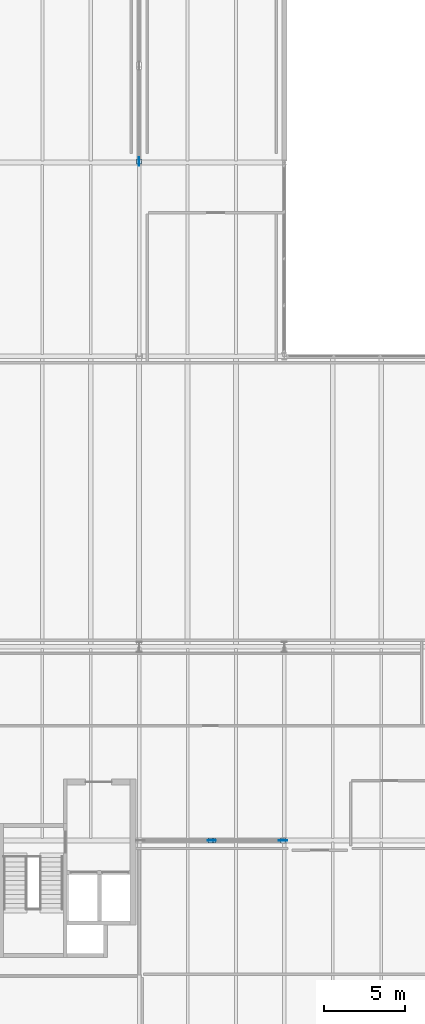
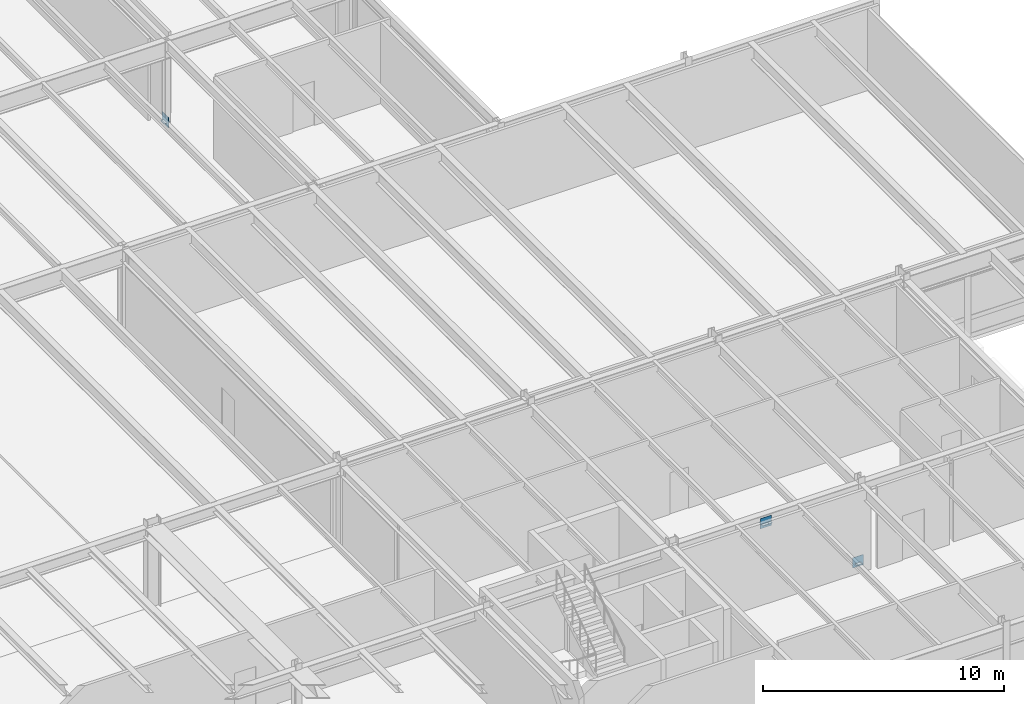
# One storey, part 99 of 115: 7 plates.
"""IFC4 building model written with IfcOpenShell, lengths in metres."""

import ifcopenshell
import ifcopenshell.guid

model = None  # the IFC model being written
_history = None  # IfcOwnerHistory: only IFC2X3 demands one
_inside = {}  # id of a spatial element -> (the spatial element, [elements in it])
_under = {}  # id of a project, library or spatial element -> (it, [spatial elements below it])
_declared = {}  # id of a project -> (the project, [libraries it declares])
_typed = {}  # id of a type object -> (the type object, [elements of that type])
_made_of = {}  # id of a material, layer set ... -> (it, [elements and type objects made of it])


def new_model(schema):
    """Start an empty IFC model of exactly this schema.

    Asked for "IFC4X3", IfcOpenShell would pick the latest addendum, in which some entities
    have other attributes; the version numbers below select the first issue.
    IFC2X3 requires an IfcOwnerHistory on every rooted entity: one is made here for all.
    """
    global model, _history
    if schema == "IFC4X3":
        model = ifcopenshell.file(schema_version=(4, 3, 0, 0))
    else:
        model = ifcopenshell.file(schema=schema)
    _inside.clear()
    _under.clear()
    _declared.clear()
    _typed.clear()
    _made_of.clear()
    _history = None
    if model.schema == "IFC2X3":
        org = make("IfcOrganization", Name="unknown")
        user = make(
            "IfcPersonAndOrganization",
            ThePerson=make("IfcPerson", FamilyName="unknown"),
            TheOrganization=org,
        )
        app = make(
            "IfcApplication",
            ApplicationDeveloper=org,
            Version="unknown",
            ApplicationFullName="unknown",
            ApplicationIdentifier="unknown",
        )
        _history = make(
            "IfcOwnerHistory",
            OwningUser=user,
            OwningApplication=app,
            ChangeAction="ADDED",
            CreationDate=0,
        )
    return model


def make(cls, **values):
    """One entity of the class cls with the attributes given. An attribute that is None is left unset."""
    return model.create_entity(
        cls, **{name: value for name, value in values.items() if value is not None}
    )


def rooted(cls, **values):
    """An entity with a GlobalId (a new one), such as an element, a storey or a relation."""
    return make(cls, GlobalId=ifcopenshell.guid.new(), OwnerHistory=_history, **values)


def si_unit(unit_type, name, prefix=None):
    """IfcSIUnit, for example si_unit("LENGTHUNIT", "METRE", prefix="MILLI")."""
    return make("IfcSIUnit", UnitType=unit_type, Prefix=prefix, Name=name)


def assignment(units):
    """IfcUnitAssignment: the units of a project."""
    return None if units is None else make("IfcUnitAssignment", Units=units)


def point(xyz):
    """IfcCartesianPoint."""
    return None if xyz is None else make("IfcCartesianPoint", Coordinates=xyz)


def direction(xyz):
    """IfcDirection."""
    return None if xyz is None else make("IfcDirection", DirectionRatios=xyz)


def frame(location, z_axis=None, x_axis=None):
    """IfcAxis2Placement3D, a coordinate frame: its origin and axes. An axis left out is left unset."""
    return make(
        "IfcAxis2Placement3D",
        Location=point(location),
        Axis=direction(z_axis),
        RefDirection=direction(x_axis),
    )


def frame_2d(location, x_axis=None):
    """IfcAxis2Placement2D, a coordinate frame in the plane: its origin and x axis."""
    return make(
        "IfcAxis2Placement2D", Location=point(location), RefDirection=direction(x_axis)
    )


def origin():
    """The frame at (0, 0, 0) with its axes left unset."""
    return frame((0.0, 0.0, 0.0))


def origin_2d():
    """The frame at (0, 0) in the plane with its x axis left unset."""
    return frame_2d((0.0, 0.0))


def place(relative_to, where):
    """IfcLocalPlacement: puts the frame where relative to a parent placement (None: the world)."""
    return make(
        "IfcLocalPlacement", PlacementRelTo=relative_to, RelativePlacement=where
    )


def context(
    kind, dimensions, precision=None, world=None, true_north=None, identifier=None
):
    """IfcGeometricRepresentationContext, for example the 3D "Model" context."""
    return make(
        "IfcGeometricRepresentationContext",
        ContextIdentifier=identifier,
        ContextType=kind,
        CoordinateSpaceDimension=dimensions,
        Precision=precision,
        WorldCoordinateSystem=world,
        TrueNorth=true_north,
    )


def subcontext(parent, identifier, kind, view, scale=None):
    """IfcGeometricRepresentationSubContext, for example "Body" below "Model"."""
    return make(
        "IfcGeometricRepresentationSubContext",
        ContextIdentifier=identifier,
        ContextType=kind,
        ParentContext=parent,
        TargetScale=scale,
        TargetView=view,
    )


def project(units=None, contexts=None):
    """IfcProject with its units and contexts."""
    return rooted(
        "IfcProject",
        Name="project",
        RepresentationContexts=contexts,
        UnitsInContext=assignment(units),
    )


def spatial(cls, under=None, at=None, **own):
    """A site, building, storey or space (cls), placed at a placement, below another one or the project."""
    s = rooted(cls, ObjectPlacement=at, **own)
    if under is not None:
        _under.setdefault(under.id(), (under, []))[1].append(s)
    return s


def profile(cls, at=None, kind="AREA", **sizes):
    """A parametric profile (cls). Its sizes go by their IFC names, for example OverallWidth=200.0."""
    return make(cls, ProfileType=kind, Position=at, **sizes)


def rectangle(**sizes):
    """IfcRectangleProfileDef."""
    return profile("IfcRectangleProfileDef", **sizes)


def extrude(swept, where, along, depth):
    """IfcExtrudedAreaSolid: the profile swept, set in the frame where, extruded along a direction by depth."""
    return make(
        "IfcExtrudedAreaSolid",
        SweptArea=swept,
        Position=where,
        ExtrudedDirection=direction(along),
        Depth=depth,
    )


def shape(context_of_items, identifier, shape_type, items):
    """IfcShapeRepresentation: the items that make up one representation, for example the "Body"."""
    return make(
        "IfcShapeRepresentation",
        ContextOfItems=context_of_items,
        RepresentationIdentifier=identifier,
        RepresentationType=shape_type,
        Items=items,
    )


def material(Name=None, Category=None):
    """IfcMaterial."""
    return make("IfcMaterial", Name=Name, Category=Category)


def layer(
    of_material, thickness, ventilated=None, Name=None, Category=None, Priority=None
):
    """IfcMaterialLayer: one layer of a wall or slab, of a material (None: an air gap)."""
    return make(
        "IfcMaterialLayer",
        Material=of_material,
        LayerThickness=thickness,
        IsVentilated=ventilated,
        Name=Name,
        Category=Category,
        Priority=Priority,
    )


def layer_set(layers, Name=None):
    """IfcMaterialLayerSet."""
    return make("IfcMaterialLayerSet", MaterialLayers=layers, LayerSetName=Name)


def made_of(thing, what):
    """Note that an element or type object is made of a material, layer set ...; save() writes the relation."""
    if what is not None:
        _made_of.setdefault(what.id(), (what, []))[1].append(thing)
    return thing


def type_object(cls, material=None, **own):
    """A type object (cls), such as IfcWallType, which elements share."""
    return made_of(rooted(cls, **own), material)


def element(
    cls,
    number,
    at=None,
    inside=None,
    cuts=None,
    type_object=None,
    material=None,
    context=None,
    identifier="Body",
    shape_type=None,
    held_by="IfcProductDefinitionShape",
    body=None,
    shapes=None,
    **own,
):
    """One element of the class cls, such as IfcWall. Its Tag is "e" and its number.

    at: its placement. inside: the storey or other place that contains it. cuts: it is an
    opening in that element (IfcRelVoidsElement). A single representation is given by context,
    identifier, shape_type and body (its items); several are given by shapes. held_by: the class
    of the entity that holds the representations. save() writes the other relations.
    """
    e = rooted(cls, Tag="e%d" % number, ObjectPlacement=at, **own)
    if body is not None:
        shapes = [shape(context, identifier, shape_type, body)]
    if shapes is not None:
        e.Representation = make(held_by, Representations=shapes)
    if inside is not None:
        _inside.setdefault(inside.id(), (inside, []))[1].append(e)
    if cuts is not None:
        rooted(
            "IfcRelVoidsElement", RelatingBuildingElement=cuts, RelatedOpeningElement=e
        )
    if type_object is not None:
        _typed.setdefault(type_object.id(), (type_object, []))[1].append(e)
    return made_of(e, material)


def aggregate(whole, parts):
    """IfcRelAggregates: a whole, such as a stair, and the parts it consists of."""
    return rooted("IfcRelAggregates", RelatingObject=whole, RelatedObjects=parts)


def save(model, path):
    """Write the relations noted so far, then the file.

    IfcRelAggregates (storeys below a building ...), IfcRelContainedInSpatialStructure (elements
    in a storey), IfcRelDefinesByType, IfcRelAssociatesMaterial and IfcRelDeclares: one each for
    every whole, place, type object, material and project.
    """
    for whole, parts in _under.values():
        aggregate(whole, parts)
    for where, things in _inside.values():
        rooted(
            "IfcRelContainedInSpatialStructure",
            RelatedElements=things,
            RelatingStructure=where,
        )
    for kind, things in _typed.values():
        rooted("IfcRelDefinesByType", RelatedObjects=things, RelatingType=kind)
    for what, things in _made_of.values():
        rooted("IfcRelAssociatesMaterial", RelatedObjects=things, RelatingMaterial=what)
    for by, libraries in _declared.values():
        rooted("IfcRelDeclares", RelatingContext=by, RelatedDefinitions=libraries)
    model.write(path)


model = new_model("IFC4")

# Units and contexts
model_context = context("Model", 3, precision=1e-05, world=origin(), true_north=direction((0.0, 1.0)))
body_context = subcontext(model_context, "Body", "Model", "MODEL_VIEW")
ifc_project = project(units=[si_unit("LENGTHUNIT", "METRE"), si_unit("AREAUNIT", "SQUARE_METRE"), si_unit("VOLUMEUNIT", "CUBIC_METRE"), si_unit("PLANEANGLEUNIT", "RADIAN"), si_unit("MASSUNIT", "GRAM", prefix="KILO")], contexts=[model_context])

# Site, building, storey
site_placement = place(None, origin())
site = spatial("IfcSite", under=ifc_project, at=site_placement, CompositionType="ELEMENT")
building_placement = place(site_placement, origin())
building = spatial("IfcBuilding", under=site, at=building_placement, Name="Montelvaro Courts of Justice", CompositionType="ELEMENT")
storey_placement = place(building_placement, frame((0.0, 0.0, 9.89990234375)))
storey = spatial("IfcBuildingStorey", under=building, at=storey_placement, Name="L02", CompositionType="ELEMENT", Elevation=9.89990234375)

# Plates
ifc_material = material(Name="Steel S355", Category="steel")
ifc_layer_1 = layer(ifc_material, 0.011962890625)
ifc_layer_set_1 = layer_set([ifc_layer_1], Name="Steel S355")
plate_type_1 = type_object("IfcPlateType", Name="EndCapPlate_12", PredefinedType="USERDEFINED", material=ifc_layer_set_1)
for number, where, z_axis, x_axis, name in (
    (1, (121.419921875, 12.0, 3.654296875), (0.0, 0.0, 1.0), (1.0, 0.0, 0.0), "Brace End Cap Plate CP-01 CBF2-L02-1B"),
    (2, (125.919921875, 12.0, 0.07421875), (0.0, 0.0, 1.0), (1.0, 0.0, 0.0), "Brace End Cap Plate CP-01 CBF2-L02-2A"),
    (3, (121.580078125, 12.0, 3.654296875), (0.0, 0.0, 1.0), (1.0, 0.0, 0.0), "Brace End Cap Plate CP-01 CBF2-L02-2B"),
    (4, (117.0, 54.080078125, 0.07421875), (0.0, 0.0, 1.0), (1.0, 0.0, 0.0), "Brace End Cap Plate CP-01 CBF4-L02-1A"),
):
    element("IfcPlate", number, at=place(storey_placement, frame(where, z_axis=z_axis, x_axis=x_axis)), inside=storey, type_object=plate_type_1, Name=name, ObjectType="GUSSET PLATE", PredefinedType="USERDEFINED", context=body_context, shape_type="SweptSolid", body=[
        extrude(rectangle(XDim=0.300048828125, YDim=0.300048828125, at=origin_2d()), origin(), (0.0, 0.0, 1.0), 0.011962890625),
    ])
ifc_layer_2 = layer(ifc_material, 0.02001953125)
ifc_layer_set_2 = layer_set([ifc_layer_2], Name="Steel S355")
plate_type_2 = type_object("IfcPlateType", Name="GussetPlate_20", PredefinedType="USERDEFINED", material=ifc_layer_set_2)
for number, where, z_axis, x_axis, name in (
    (5, (125.919921875, 12.0, -0.099853515625), (0.0, 0.0, 1.0), (1.0, 0.0, 0.0), "Chevron Brace Base Gusset Plate GP-01 CBF2-L02-B2"),
    (6, (121.5, 12.0, 3.440185546875), (0.0, 0.0, 1.0), (1.0, 0.0, 0.0), "Chevron Brace Gusset Plate GP-01 CBF2-L02"),
):
    element("IfcPlate", number, at=place(storey_placement, frame(where, z_axis=z_axis, x_axis=x_axis)), inside=storey, type_object=plate_type_2, Name=name, ObjectType="GUSSET PLATE", PredefinedType="USERDEFINED", context=body_context, shape_type="SweptSolid", body=[
        extrude(rectangle(XDim=0.52001953125, YDim=0.02001953125, at=origin_2d()), origin(), (0.0, 0.0, 1.0), 0.52001953125),
    ])
plate_placement = place(storey_placement, frame((117.0, 54.080078125, -0.099853515625), z_axis=(0.0, 0.0, 1.0), x_axis=(1.0, 0.0, 0.0)))
element("IfcPlate", 7, at=plate_placement, inside=storey, type_object=plate_type_2, Name="Chevron Brace Base Gusset Plate GP-01 CBF4-L02-B1", ObjectType="GUSSET PLATE", PredefinedType="USERDEFINED", context=body_context, shape_type="SweptSolid", body=[
    extrude(rectangle(XDim=0.02001953125, YDim=0.52001953125, at=origin_2d()), origin(), (0.0, 0.0, 1.0), 0.52001953125),
])

save(model, "model.ifc")
